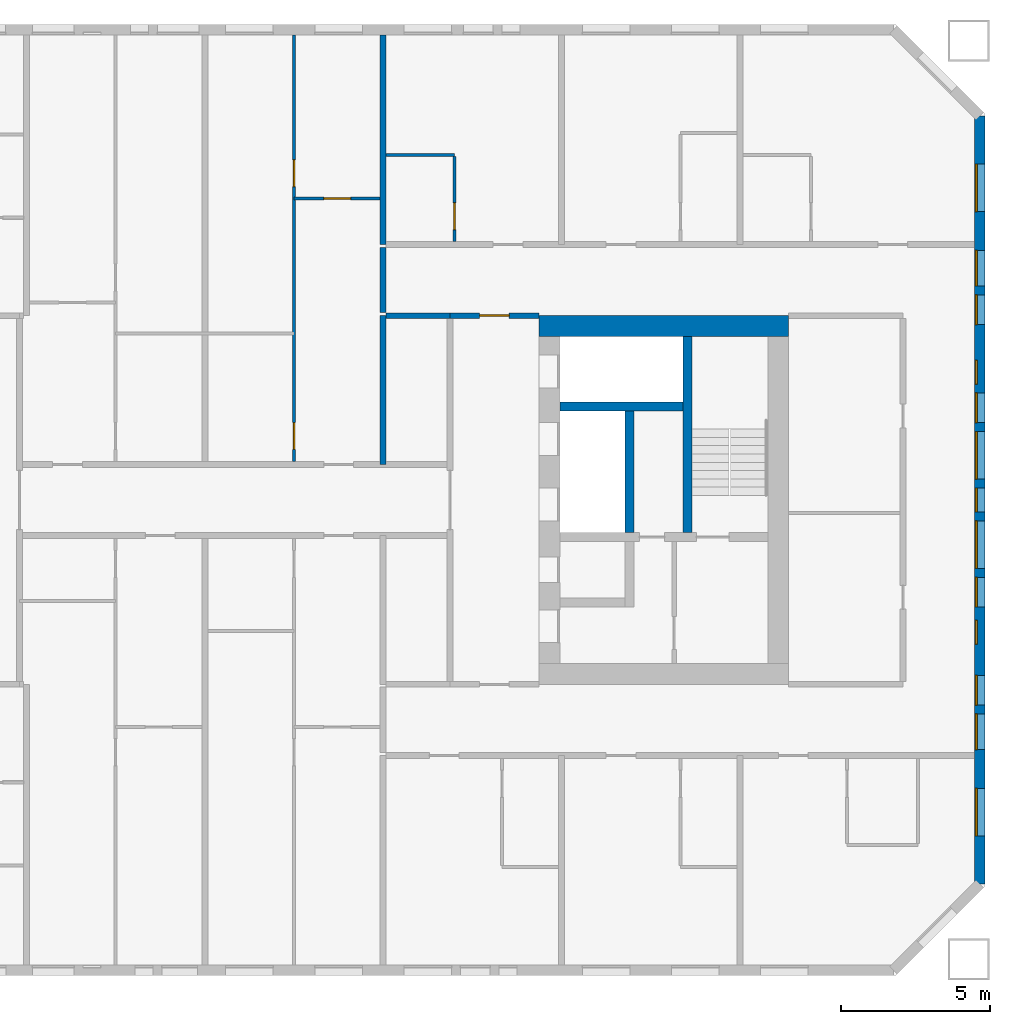
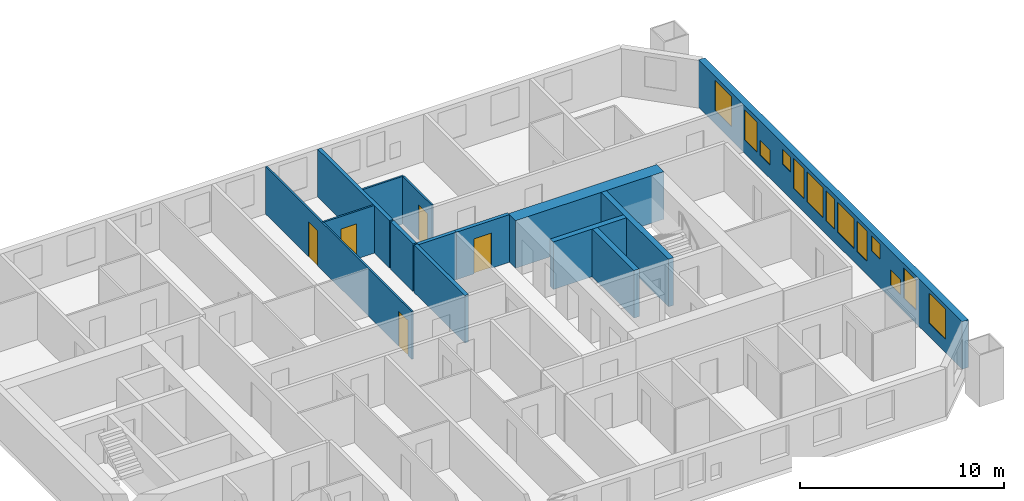
# One storey, part 13 of 17: 14 walls, 13 windows, 5 doors, 18 openings.
"""IFC4 building model written with IfcOpenShell, lengths in metres."""

from ifc_helpers import new_model, si_unit, direction, frame, frame_2d, origin, place, context, subcontext, project, spatial, rectangle, extrude, material, layer, layer_set, type_object, element, fill, save


model = new_model("IFC4")

# Units and contexts
model_context = context("Model", 3, precision=1e-05, world=origin(), true_north=direction((0.0, 1.0)))
body_context = subcontext(model_context, "Body", "Model", "MODEL_VIEW")
ifc_project = project(units=[si_unit("LENGTHUNIT", "METRE"), si_unit("AREAUNIT", "SQUARE_METRE"), si_unit("VOLUMEUNIT", "CUBIC_METRE"), si_unit("PLANEANGLEUNIT", "RADIAN"), si_unit("MASSUNIT", "GRAM", prefix="KILO")], contexts=[model_context])

# Site, building, storey
site_placement = place(None, origin())
site = spatial("IfcSite", under=ifc_project, at=site_placement, CompositionType="ELEMENT")
building_placement = place(site_placement, origin())
building = spatial("IfcBuilding", under=site, at=building_placement, Name="Tuart Gate Housing", CompositionType="ELEMENT")
storey_placement = place(building_placement, frame((0.0, 0.0, 80.89990234375)))
storey = spatial("IfcBuildingStorey", under=building, at=storey_placement, Name="L22", CompositionType="ELEMENT", Elevation=80.89990234375)

# Wall, openings, windows
ifc_material_1 = material(Name="Brick", Category="masonry")
ifc_layer_1 = layer(ifc_material_1, 0.360107421875)
ifc_layer_set_1 = layer_set([ifc_layer_1], Name="Brick pier and spandrel wall 360")
wall_type_1 = type_object("IfcWallType", Name="Brick pier and spandrel wall 360", PredefinedType="STANDARD", material=ifc_layer_set_1)
wall_1_placement = place(storey_placement, frame((175.070068359375, 57.07470703125, 0.0), z_axis=(0.0, 0.0, 1.0), x_axis=(0.0, 1.0, 0.0)))
wall_1 = element("IfcWall", 1, at=wall_1_placement, inside=storey, type_object=wall_type_1, Name="External wall B-E L22", PredefinedType="STANDARD", context=body_context, shape_type="SweptSolid", body=[
    extrude(rectangle(XDim=25.850830078125, YDim=0.360107421875, at=frame_2d((12.92529296875, 0.0))), origin(), (0.0, 0.0, 1.0), 2.85009765625),
])
opening_1_placement = place(wall_1_placement, frame((1.62548828125, 0.0, 0.800048828125)))
opening_1 = element("IfcOpeningElement", 2, at=opening_1_placement, cuts=wall_1, Name="Opening W1", PredefinedType="OPENING", context=body_context, shape_type="SweptSolid", body=[
    extrude(rectangle(XDim=1.60009765625, YDim=1.800048828125, at=frame_2d((0.800048828125, 0.89990234375))), frame((0.0, 0.18994140625, 0.0), z_axis=(0.0, -1.0, 0.0), x_axis=(1.0, 0.0, 0.0)), (0.0, 0.0, 1.0), 0.380126953125),
])
opening_2_placement = place(wall_1_placement, frame((4.525390625, 0.0, 0.800048828125)))
opening_2 = element("IfcOpeningElement", 3, at=opening_2_placement, cuts=wall_1, Name="Opening W1B", PredefinedType="OPENING", context=body_context, shape_type="SweptSolid", body=[
    extrude(rectangle(XDim=1.199951171875, YDim=1.800048828125, at=frame_2d((0.60009765625, 0.89990234375))), frame((0.0, 0.18994140625, 0.0), z_axis=(0.0, -1.0, 0.0), x_axis=(1.0, 0.0, 0.0)), (0.0, 0.0, 1.0), 0.380126953125),
])
opening_3_placement = place(wall_1_placement, frame((6.025390625, 0.0, 0.800048828125)))
opening_3 = element("IfcOpeningElement", 4, at=opening_3_placement, cuts=wall_1, Name="Opening W1U", PredefinedType="OPENING", context=body_context, shape_type="SweptSolid", body=[
    extrude(rectangle(XDim=1.0, YDim=0.89990234375, at=frame_2d((0.5, 0.449951171875))), frame((0.0, 0.18994140625, 0.0), z_axis=(0.0, -1.0, 0.0), x_axis=(1.0, 0.0, 0.0)), (0.0, 0.0, 1.0), 0.380126953125),
])
opening_4_placement = place(wall_1_placement, frame((10.62548828125, 0.0, 0.800048828125)))
opening_4 = element("IfcOpeningElement", 5, at=opening_4_placement, cuts=wall_1, Name="Opening W1", PredefinedType="OPENING", context=body_context, shape_type="SweptSolid", body=[
    extrude(rectangle(XDim=1.60009765625, YDim=1.800048828125, at=frame_2d((0.800048828125, 0.89990234375))), frame((0.0, 0.18994140625, 0.0), z_axis=(0.0, -1.0, 0.0), x_axis=(1.0, 0.0, 0.0)), (0.0, 0.0, 1.0), 0.380126953125),
])
opening_5_placement = place(wall_1_placement, frame((13.62548828125, 0.0, 0.800048828125)))
opening_5 = element("IfcOpeningElement", 6, at=opening_5_placement, cuts=wall_1, Name="Opening W1", PredefinedType="OPENING", context=body_context, shape_type="SweptSolid", body=[
    extrude(rectangle(XDim=1.60009765625, YDim=1.800048828125, at=frame_2d((0.800048828125, 0.89990234375))), frame((0.0, 0.18994140625, 0.0), z_axis=(0.0, -1.0, 0.0), x_axis=(1.0, 0.0, 0.0)), (0.0, 0.0, 1.0), 0.380126953125),
])
opening_6_placement = place(wall_1_placement, frame((8.075439453125, 0.0, 1.699951171875)))
opening_6 = element("IfcOpeningElement", 7, at=opening_6_placement, cuts=wall_1, Name="Opening W1V", PredefinedType="OPENING", context=body_context, shape_type="SweptSolid", body=[
    extrude(rectangle(XDim=0.800048828125, YDim=0.89990234375, at=frame_2d((0.39990234375, 0.449951171875))), frame((0.0, 0.18994140625, 0.0), z_axis=(0.0, -1.0, 0.0), x_axis=(1.0, 0.0, 0.0)), (0.0, 0.0, 1.0), 0.380126953125),
])
opening_7_placement = place(wall_1_placement, frame((9.325439453125, 0.0, 0.800048828125)))
opening_7 = element("IfcOpeningElement", 8, at=opening_7_placement, cuts=wall_1, Name="Opening W1C", PredefinedType="OPENING", context=body_context, shape_type="SweptSolid", body=[
    extrude(rectangle(XDim=1.0, YDim=1.800048828125, at=frame_2d((0.5, 0.89990234375))), frame((0.0, 0.18994140625, 0.0), z_axis=(0.0, -1.0, 0.0), x_axis=(1.0, 0.0, 0.0)), (0.0, 0.0, 1.0), 0.380126953125),
])
opening_8_placement = place(wall_1_placement, frame((22.62548828125, 0.0, 0.800048828125)))
opening_8 = element("IfcOpeningElement", 9, at=opening_8_placement, cuts=wall_1, Name="Opening W1", PredefinedType="OPENING", context=body_context, shape_type="SweptSolid", body=[
    extrude(rectangle(XDim=1.60009765625, YDim=1.800048828125, at=frame_2d((0.800048828125, 0.89990234375))), frame((0.0, 0.18994140625, 0.0), z_axis=(0.0, -1.0, 0.0), x_axis=(1.0, 0.0, 0.0)), (0.0, 0.0, 1.0), 0.380126953125),
])
opening_9_placement = place(wall_1_placement, frame((12.525390625, 0.0, 0.800048828125)))
opening_9 = element("IfcOpeningElement", 10, at=opening_9_placement, cuts=wall_1, Name="Opening W1D", PredefinedType="OPENING", context=body_context, shape_type="SweptSolid", body=[
    extrude(rectangle(XDim=0.800048828125, YDim=1.800048828125, at=frame_2d((0.39990234375, 0.89990234375))), frame((0.0, 0.18994140625, 0.0), z_axis=(0.0, -1.0, 0.0), x_axis=(1.0, 0.0, 0.0)), (0.0, 0.0, 1.0), 0.380126953125),
])
opening_10_placement = place(wall_1_placement, frame((15.525390625, 0.0, 0.800048828125)))
opening_10 = element("IfcOpeningElement", 11, at=opening_10_placement, cuts=wall_1, Name="Opening W1C", PredefinedType="OPENING", context=body_context, shape_type="SweptSolid", body=[
    extrude(rectangle(XDim=1.0, YDim=1.800048828125, at=frame_2d((0.5, 0.89990234375))), frame((0.0, 0.18994140625, 0.0), z_axis=(0.0, -1.0, 0.0), x_axis=(1.0, 0.0, 0.0)), (0.0, 0.0, 1.0), 0.380126953125),
])
opening_11_placement = place(wall_1_placement, frame((16.825439453125, 0.0, 1.60009765625)))
opening_11 = element("IfcOpeningElement", 12, at=opening_11_placement, cuts=wall_1, Name="Opening W1V", PredefinedType="OPENING", context=body_context, shape_type="SweptSolid", body=[
    extrude(rectangle(XDim=0.800048828125, YDim=0.89990234375, at=frame_2d((0.39990234375, 0.449951171875))), frame((0.0, 0.18994140625, 0.0), z_axis=(0.0, -1.0, 0.0), x_axis=(1.0, 0.0, 0.0)), (0.0, 0.0, 1.0), 0.380126953125),
])
opening_12_placement = place(wall_1_placement, frame((18.825439453125, 0.0, 0.800048828125)))
opening_12 = element("IfcOpeningElement", 13, at=opening_12_placement, cuts=wall_1, Name="Opening W1U", PredefinedType="OPENING", context=body_context, shape_type="SweptSolid", body=[
    extrude(rectangle(XDim=1.0, YDim=0.89990234375, at=frame_2d((0.5, 0.449951171875))), frame((0.0, 0.18994140625, 0.0), z_axis=(0.0, -1.0, 0.0), x_axis=(1.0, 0.0, 0.0)), (0.0, 0.0, 1.0), 0.380126953125),
])
opening_13_placement = place(wall_1_placement, frame((20.12548828125, 0.0, 0.800048828125)))
opening_13 = element("IfcOpeningElement", 14, at=opening_13_placement, cuts=wall_1, Name="Opening W1B", PredefinedType="OPENING", context=body_context, shape_type="SweptSolid", body=[
    extrude(rectangle(XDim=1.199951171875, YDim=1.800048828125, at=frame_2d((0.60009765625, 0.89990234375))), frame((0.0, 0.18994140625, 0.0), z_axis=(0.0, -1.0, 0.0), x_axis=(1.0, 0.0, 0.0)), (0.0, 0.0, 1.0), 0.380126953125),
])
ifc_material_2 = material(Name="Aluminium frame with clear glass", Category="aluminium")
window_type_1 = type_object("IfcWindowType", Name="Punched window 1000 x 1800", PartitioningType="SINGLE_PANEL", PredefinedType="WINDOW", material=ifc_material_2)
window_1_placement = place(opening_7_placement, origin())
window_1 = element("IfcWindow", 15, at=window_1_placement, inside=storey, type_object=window_type_1, Name="Window W1C", OverallHeight=1.800048828125, OverallWidth=1.0, PartitioningType="SINGLE_PANEL", PredefinedType="WINDOW", context=body_context, shape_type="SweptSolid", body=[
    extrude(rectangle(XDim=1.0, YDim=1.800048828125, at=frame_2d((0.5, 0.89990234375))), frame((0.0, 0.150146484375, 0.0), z_axis=(0.0, -1.0, 0.0), x_axis=(1.0, 0.0, 0.0)), (0.0, 0.0, 1.0), 0.06005859375),
])
fill(opening_7, window_1)
window_2_placement = place(opening_10_placement, origin())
window_2 = element("IfcWindow", 16, at=window_2_placement, inside=storey, type_object=window_type_1, Name="Window W1C", OverallHeight=1.800048828125, OverallWidth=1.0, PartitioningType="SINGLE_PANEL", PredefinedType="WINDOW", context=body_context, shape_type="SweptSolid", body=[
    extrude(rectangle(XDim=1.0, YDim=1.800048828125, at=frame_2d((0.5, 0.89990234375))), frame((0.0, 0.150146484375, 0.0), z_axis=(0.0, -1.0, 0.0), x_axis=(1.0, 0.0, 0.0)), (0.0, 0.0, 1.0), 0.06005859375),
])
fill(opening_10, window_2)
ifc_material_3 = material(Name="Aluminium frame with clear glass", Category="aluminium")
window_type_2 = type_object("IfcWindowType", Name="Punched window 1000 x 900", PartitioningType="SINGLE_PANEL", PredefinedType="WINDOW", material=ifc_material_3)
window_3_placement = place(opening_3_placement, origin())
window_3 = element("IfcWindow", 17, at=window_3_placement, inside=storey, type_object=window_type_2, Name="Window W1U", OverallHeight=0.89990234375, OverallWidth=1.0, PartitioningType="SINGLE_PANEL", PredefinedType="WINDOW", context=body_context, shape_type="SweptSolid", body=[
    extrude(rectangle(XDim=1.0, YDim=0.89990234375, at=frame_2d((0.5, 0.449951171875))), frame((0.0, 0.150146484375, 0.0), z_axis=(0.0, -1.0, 0.0), x_axis=(1.0, 0.0, 0.0)), (0.0, 0.0, 1.0), 0.06005859375),
])
fill(opening_3, window_3)
window_4_placement = place(opening_12_placement, origin())
window_4 = element("IfcWindow", 18, at=window_4_placement, inside=storey, type_object=window_type_2, Name="Window W1U", OverallHeight=0.89990234375, OverallWidth=1.0, PartitioningType="SINGLE_PANEL", PredefinedType="WINDOW", context=body_context, shape_type="SweptSolid", body=[
    extrude(rectangle(XDim=1.0, YDim=0.89990234375, at=frame_2d((0.5, 0.449951171875))), frame((0.0, 0.150146484375, 0.0), z_axis=(0.0, -1.0, 0.0), x_axis=(1.0, 0.0, 0.0)), (0.0, 0.0, 1.0), 0.06005859375),
])
fill(opening_12, window_4)
ifc_material_4 = material(Name="Aluminium frame with clear glass", Category="aluminium")
window_type_3 = type_object("IfcWindowType", Name="Punched window 1200 x 1800", PartitioningType="SINGLE_PANEL", PredefinedType="WINDOW", material=ifc_material_4)
window_5_placement = place(opening_2_placement, origin())
window_5 = element("IfcWindow", 19, at=window_5_placement, inside=storey, type_object=window_type_3, Name="Window W1B", OverallHeight=1.800048828125, OverallWidth=1.199951171875, PartitioningType="SINGLE_PANEL", PredefinedType="WINDOW", context=body_context, shape_type="SweptSolid", body=[
    extrude(rectangle(XDim=1.199951171875, YDim=1.800048828125, at=frame_2d((0.60009765625, 0.89990234375))), frame((0.0, 0.150146484375, 0.0), z_axis=(0.0, -1.0, 0.0), x_axis=(1.0, 0.0, 0.0)), (0.0, 0.0, 1.0), 0.06005859375),
])
fill(opening_2, window_5)
window_6_placement = place(opening_13_placement, origin())
window_6 = element("IfcWindow", 20, at=window_6_placement, inside=storey, type_object=window_type_3, Name="Window W1B", OverallHeight=1.800048828125, OverallWidth=1.199951171875, PartitioningType="SINGLE_PANEL", PredefinedType="WINDOW", context=body_context, shape_type="SweptSolid", body=[
    extrude(rectangle(XDim=1.199951171875, YDim=1.800048828125, at=frame_2d((0.60009765625, 0.89990234375))), frame((0.0, 0.150146484375, 0.0), z_axis=(0.0, -1.0, 0.0), x_axis=(1.0, 0.0, 0.0)), (0.0, 0.0, 1.0), 0.06005859375),
])
fill(opening_13, window_6)
ifc_material_5 = material(Name="Aluminium frame with clear glass", Category="aluminium")
window_type_4 = type_object("IfcWindowType", Name="Punched window 1600 x 1800", PartitioningType="SINGLE_PANEL", PredefinedType="WINDOW", material=ifc_material_5)
window_7_placement = place(opening_1_placement, origin())
window_7 = element("IfcWindow", 21, at=window_7_placement, inside=storey, type_object=window_type_4, Name="Window W1", OverallHeight=1.800048828125, OverallWidth=1.60009765625, PartitioningType="SINGLE_PANEL", PredefinedType="WINDOW", context=body_context, shape_type="SweptSolid", body=[
    extrude(rectangle(XDim=1.60009765625, YDim=1.800048828125, at=frame_2d((0.800048828125, 0.89990234375))), frame((0.0, 0.150146484375, 0.0), z_axis=(0.0, -1.0, 0.0), x_axis=(1.0, 0.0, 0.0)), (0.0, 0.0, 1.0), 0.06005859375),
])
fill(opening_1, window_7)
window_8_placement = place(opening_4_placement, origin())
window_8 = element("IfcWindow", 22, at=window_8_placement, inside=storey, type_object=window_type_4, Name="Window W1", OverallHeight=1.800048828125, OverallWidth=1.60009765625, PartitioningType="SINGLE_PANEL", PredefinedType="WINDOW", context=body_context, shape_type="SweptSolid", body=[
    extrude(rectangle(XDim=1.60009765625, YDim=1.800048828125, at=frame_2d((0.800048828125, 0.89990234375))), frame((0.0, 0.150146484375, 0.0), z_axis=(0.0, -1.0, 0.0), x_axis=(1.0, 0.0, 0.0)), (0.0, 0.0, 1.0), 0.06005859375),
])
fill(opening_4, window_8)
window_9_placement = place(opening_5_placement, origin())
window_9 = element("IfcWindow", 23, at=window_9_placement, inside=storey, type_object=window_type_4, Name="Window W1", OverallHeight=1.800048828125, OverallWidth=1.60009765625, PartitioningType="SINGLE_PANEL", PredefinedType="WINDOW", context=body_context, shape_type="SweptSolid", body=[
    extrude(rectangle(XDim=1.60009765625, YDim=1.800048828125, at=frame_2d((0.800048828125, 0.89990234375))), frame((0.0, 0.150146484375, 0.0), z_axis=(0.0, -1.0, 0.0), x_axis=(1.0, 0.0, 0.0)), (0.0, 0.0, 1.0), 0.06005859375),
])
fill(opening_5, window_9)
window_10_placement = place(opening_8_placement, origin())
window_10 = element("IfcWindow", 24, at=window_10_placement, inside=storey, type_object=window_type_4, Name="Window W1", OverallHeight=1.800048828125, OverallWidth=1.60009765625, PartitioningType="SINGLE_PANEL", PredefinedType="WINDOW", context=body_context, shape_type="SweptSolid", body=[
    extrude(rectangle(XDim=1.60009765625, YDim=1.800048828125, at=frame_2d((0.800048828125, 0.89990234375))), frame((0.0, 0.150146484375, 0.0), z_axis=(0.0, -1.0, 0.0), x_axis=(1.0, 0.0, 0.0)), (0.0, 0.0, 1.0), 0.06005859375),
])
fill(opening_8, window_10)
ifc_material_6 = material(Name="Aluminium frame with clear glass", Category="aluminium")
window_type_5 = type_object("IfcWindowType", Name="Punched window 800 x 1800", PartitioningType="SINGLE_PANEL", PredefinedType="WINDOW", material=ifc_material_6)
window_11_placement = place(opening_9_placement, origin())
window_11 = element("IfcWindow", 25, at=window_11_placement, inside=storey, type_object=window_type_5, Name="Window W1D", OverallHeight=1.800048828125, OverallWidth=0.800048828125, PartitioningType="SINGLE_PANEL", PredefinedType="WINDOW", context=body_context, shape_type="SweptSolid", body=[
    extrude(rectangle(XDim=0.800048828125, YDim=1.800048828125, at=frame_2d((0.39990234375, 0.89990234375))), frame((0.0, 0.150146484375, 0.0), z_axis=(0.0, -1.0, 0.0), x_axis=(1.0, 0.0, 0.0)), (0.0, 0.0, 1.0), 0.06005859375),
])
fill(opening_9, window_11)
ifc_material_7 = material(Name="Aluminium frame with clear glass", Category="aluminium")
window_type_6 = type_object("IfcWindowType", Name="Punched window 800 x 900", PartitioningType="SINGLE_PANEL", PredefinedType="WINDOW", material=ifc_material_7)
window_12_placement = place(opening_6_placement, origin())
window_12 = element("IfcWindow", 26, at=window_12_placement, inside=storey, type_object=window_type_6, Name="Window W1V", OverallHeight=0.89990234375, OverallWidth=0.800048828125, PartitioningType="SINGLE_PANEL", PredefinedType="WINDOW", context=body_context, shape_type="SweptSolid", body=[
    extrude(rectangle(XDim=0.800048828125, YDim=0.89990234375, at=frame_2d((0.39990234375, 0.449951171875))), frame((0.0, 0.150146484375, 0.0), z_axis=(0.0, -1.0, 0.0), x_axis=(1.0, 0.0, 0.0)), (0.0, 0.0, 1.0), 0.06005859375),
])
fill(opening_6, window_12)
window_13_placement = place(opening_11_placement, origin())
window_13 = element("IfcWindow", 27, at=window_13_placement, inside=storey, type_object=window_type_6, Name="Window W1V", OverallHeight=0.89990234375, OverallWidth=0.800048828125, PartitioningType="SINGLE_PANEL", PredefinedType="WINDOW", context=body_context, shape_type="SweptSolid", body=[
    extrude(rectangle(XDim=0.800048828125, YDim=0.89990234375, at=frame_2d((0.39990234375, 0.449951171875))), frame((0.0, 0.150146484375, 0.0), z_axis=(0.0, -1.0, 0.0), x_axis=(1.0, 0.0, 0.0)), (0.0, 0.0, 1.0), 0.06005859375),
])
fill(opening_11, window_13)

# Walls
ifc_material_8 = material(Name="Concrete C50", Category="concrete")
ifc_layer_2 = layer(ifc_material_8, 0.300048828125)
ifc_layer_set_2 = layer_set([ifc_layer_2], Name="Core wall 300 C50")
wall_type_2 = type_object("IfcWallType", Name="Core wall 300 C50", PredefinedType="SHEAR", material=ifc_layer_set_2)
wall_2_placement = place(storey_placement, frame((160.93994140625, 73.14990234375, 0.0), z_axis=(0.0, 0.0, 1.0), x_axis=(1.0, 0.0, 0.0)))
element("IfcWall", 28, at=wall_2_placement, inside=storey, type_object=wall_type_2, Name="Core wall BK.1", PredefinedType="SHEAR", context=body_context, shape_type="SweptSolid", body=[
    extrude(rectangle(XDim=4.150146484375, YDim=0.300048828125, at=frame_2d((2.0751953125, 0.0))), origin(), (0.0, 0.0, 1.0), 2.85009765625),
])
wall_3_placement = place(storey_placement, frame((163.2900390625, 73.0, 0.0), z_axis=(0.0, 0.0, 1.0), x_axis=(0.0, -1.0, 0.0)))
element("IfcWall", 29, at=wall_3_placement, inside=storey, type_object=wall_type_2, Name="Core wall BK.4", PredefinedType="SHEAR", context=body_context, shape_type="SweptSolid", body=[
    extrude(rectangle(XDim=4.10009765625, YDim=0.300048828125, at=frame_2d((2.050048828125, 0.0))), origin(), (0.0, 0.0, 1.0), 2.85009765625),
])
wall_4_placement = place(storey_placement, frame((165.239990234375, 75.5, 0.0), z_axis=(0.0, 0.0, 1.0), x_axis=(0.0, -1.0, 0.0)))
element("IfcWall", 30, at=wall_4_placement, inside=storey, type_object=wall_type_2, Name="Core wall BK.7", PredefinedType="SHEAR", context=body_context, shape_type="SweptSolid", body=[
    extrude(rectangle(XDim=6.60009765625, YDim=0.300048828125, at=frame_2d((3.300048828125, 0.0))), origin(), (0.0, 0.0, 1.0), 2.85009765625),
])
ifc_material_9 = material(Name="Concrete C50", Category="concrete")
ifc_layer_3 = layer(ifc_material_9, 0.699951171875)
ifc_layer_set_3 = layer_set([ifc_layer_3], Name="Core wall 700 C50")
wall_type_3 = type_object("IfcWallType", Name="Core wall 700 C50", PredefinedType="SHEAR", material=ifc_layer_set_3)
wall_5_placement = place(storey_placement, frame((160.239990234375, 75.85009765625, 0.0), z_axis=(0.0, 0.0, 1.0), x_axis=(1.0, 0.0, 0.0)))
element("IfcWall", 31, at=wall_5_placement, inside=storey, type_object=wall_type_3, Name="Core wall BK south", PredefinedType="SHEAR", context=body_context, shape_type="SweptSolid", body=[
    extrude(rectangle(XDim=8.39990234375, YDim=0.699951171875, at=frame_2d((4.199951171875, 0.0))), origin(), (0.0, 0.0, 1.0), 2.85009765625),
])
ifc_material_10 = material(Name="Concrete masonry 15 MPa", Category="masonry")
ifc_layer_4 = layer(ifc_material_10, 0.199951171875)
ifc_layer_set_4 = layer_set([ifc_layer_4], Name="Corridor wall masonry 200")
wall_type_4 = type_object("IfcWallType", Name="Corridor wall masonry 200", PredefinedType="PARTITIONING", material=ifc_layer_set_4)
wall_6_placement = place(storey_placement, frame((155.10009765625, 76.199951171875, 0.0), z_axis=(0.0, 0.0, 1.0), x_axis=(1.0, 0.0, 0.0)))
element("IfcWall", 32, at=wall_6_placement, inside=storey, type_object=wall_type_4, Name="Corridor wall masonry 200", PredefinedType="PARTITIONING", context=body_context, shape_type="SweptSolid", body=[
    extrude(rectangle(XDim=2.139892578125, YDim=0.199951171875, at=frame_2d((1.06982421875, 0.0))), origin(), (0.0, 0.0, 1.0), 2.85009765625),
])
wall_7_placement = place(storey_placement, frame((155.0, 76.300048828125, 0.0), z_axis=(0.0, 0.0, 1.0), x_axis=(0.0, 1.0, 0.0)))
element("IfcWall", 33, at=wall_7_placement, inside=storey, type_object=wall_type_4, Name="Corridor wall masonry 200", PredefinedType="PARTITIONING", context=body_context, shape_type="SweptSolid", body=[
    extrude(rectangle(XDim=2.199951171875, YDim=0.199951171875, at=frame_2d((1.10009765625, 0.0))), origin(), (0.0, 0.0, 1.0), 2.85009765625),
])

# Wall, opening, door
ifc_material_11 = material(Name="Concrete masonry 15 MPa", Category="masonry")
ifc_layer_5 = layer(ifc_material_11, 0.199951171875)
ifc_layer_set_5 = layer_set([ifc_layer_5], Name="Enclosure wall masonry 200")
wall_type_5 = type_object("IfcWallType", Name="Enclosure wall masonry 200", PredefinedType="PARTITIONING", material=ifc_layer_set_5)
wall_8_placement = place(storey_placement, frame((157.239990234375, 76.199951171875, 0.0), z_axis=(0.0, 0.0, 1.0), x_axis=(1.0, 0.0, 0.0)))
wall_8 = element("IfcWall", 34, at=wall_8_placement, inside=storey, type_object=wall_type_5, Name="Enclosure wall masonry 200", PredefinedType="PARTITIONING", context=body_context, shape_type="SweptSolid", body=[
    extrude(rectangle(XDim=3.0, YDim=0.199951171875, at=frame_2d((1.5, 0.0))), origin(), (0.0, 0.0, 1.0), 2.85009765625),
])
opening_14_placement = place(wall_8_placement, frame((1.0, 0.0, 0.0)))
opening_14 = element("IfcOpeningElement", 35, at=opening_14_placement, cuts=wall_8, Name="Opening D1030", PredefinedType="OPENING", context=body_context, shape_type="SweptSolid", body=[
    extrude(rectangle(XDim=1.0, YDim=2.10009765625, at=frame_2d((0.5, 1.050048828125))), frame((0.0, 0.10986328125, 0.0), z_axis=(0.0, -1.0, 0.0), x_axis=(1.0, 0.0, 0.0)), (0.0, 0.0, 1.0), 0.219970703125),
])
ifc_material_12 = material(Name="Timber door leaf in steel frame", Category="steel")
door_type_1 = type_object("IfcDoorType", Name="Fire door 1000", OperationType="SINGLE_SWING_LEFT", PredefinedType="DOOR", material=ifc_material_12)
door_1_placement = place(opening_14_placement, origin())
door_1 = element("IfcDoor", 36, at=door_1_placement, inside=storey, type_object=door_type_1, Name="Fire door", OperationType="SINGLE_SWING_LEFT", OverallHeight=2.10009765625, OverallWidth=1.0, PredefinedType="DOOR", context=body_context, shape_type="SweptSolid", body=[
    extrude(rectangle(XDim=1.0, YDim=2.10009765625, at=frame_2d((0.5, 1.050048828125))), frame((0.0, 0.02490234375, 0.0), z_axis=(0.0, -1.0, 0.0), x_axis=(1.0, 0.0, 0.0)), (0.0, 0.0, 1.0), 0.050048828125),
])
fill(opening_14, door_1)

ifc_material_13 = material(Name="Gypsum board on steel studs", Category="steel")
ifc_layer_6 = layer(ifc_material_13, 0.10009765625)
ifc_layer_set_6 = layer_set([ifc_layer_6], Name="Partition 100")
wall_type_6 = type_object("IfcWallType", Name="Partition 100", PredefinedType="PARTITIONING", material=ifc_layer_set_6)
wall_9_placement = place(storey_placement, frame((152.0, 80.139892578125, 0.0), z_axis=(0.0, 0.0, 1.0), x_axis=(1.0, 0.0, 0.0)))
wall_9 = element("IfcWall", 37, at=wall_9_placement, inside=storey, type_object=wall_type_6, Name="Partition 100", PredefinedType="PARTITIONING", context=body_context, shape_type="SweptSolid", body=[
    extrude(rectangle(XDim=2.89990234375, YDim=0.10009765625, at=frame_2d((1.449951171875, 0.0))), origin(), (0.0, 0.0, 1.0), 2.85009765625),
])
opening_15_placement = place(wall_9_placement, frame((1.0, 0.0, 0.0)))
opening_15 = element("IfcOpeningElement", 38, at=opening_15_placement, cuts=wall_9, Name="Opening D1016", PredefinedType="OPENING", context=body_context, shape_type="SweptSolid", body=[
    extrude(rectangle(XDim=0.89990234375, YDim=2.10009765625, at=frame_2d((0.449951171875, 1.050048828125))), frame((0.0, 0.06005859375, 0.0), z_axis=(0.0, -1.0, 0.0), x_axis=(1.0, 0.0, 0.0)), (0.0, 0.0, 1.0), 0.1201171875),
])
ifc_material_14 = material(Name="Timber door leaf in steel frame", Category="steel")
door_type_2 = type_object("IfcDoorType", Name="Internal door 900 RH", OperationType="SINGLE_SWING_RIGHT", PredefinedType="DOOR", material=ifc_material_14)
door_2_placement = place(opening_15_placement, frame((0.89990234375, 0.0, 0.0), z_axis=(0.0, 0.0, 1.0), x_axis=(-1.0, 0.0, 0.0)))
door_2 = element("IfcDoor", 39, at=door_2_placement, inside=storey, type_object=door_type_2, Name="Internal door", OperationType="SINGLE_SWING_RIGHT", OverallHeight=2.10009765625, OverallWidth=0.89990234375, PredefinedType="DOOR", context=body_context, shape_type="SweptSolid", body=[
    extrude(rectangle(XDim=0.89990234375, YDim=2.10009765625, at=frame_2d((0.449951171875, 1.050048828125))), frame((0.0, 0.025146484375, 0.0), z_axis=(0.0, -1.0, 0.0), x_axis=(1.0, 0.0, 0.0)), (0.0, 0.0, 1.0), 0.050048828125),
])
fill(opening_15, door_2)

# Wall
wall_10_placement = place(storey_placement, frame((155.10009765625, 81.60009765625, 0.0), z_axis=(0.0, 0.0, 1.0), x_axis=(1.0, 0.0, 0.0)))
element("IfcWall", 40, at=wall_10_placement, inside=storey, type_object=wall_type_6, Name="Partition 100", PredefinedType="PARTITIONING", context=body_context, shape_type="SweptSolid", body=[
    extrude(rectangle(XDim=2.2998046875, YDim=0.10009765625, at=frame_2d((1.14990234375, 0.0))), origin(), (0.0, 0.0, 1.0), 2.85009765625),
])

# Wall, openings, doors
wall_11_placement = place(storey_placement, frame((152.0, 71.300048828125, 0.0), z_axis=(0.0, 0.0, 1.0), x_axis=(0.0, 1.0, 0.0)))
wall_11 = element("IfcWall", 41, at=wall_11_placement, inside=storey, type_object=wall_type_6, Name="Partition 100", PredefinedType="PARTITIONING", context=body_context, shape_type="SweptSolid", body=[
    extrude(rectangle(XDim=14.33984375, YDim=0.10009765625, at=frame_2d((7.169921875, 0.0))), origin(), (0.0, 0.0, 1.0), 2.85009765625),
])
opening_16_placement = place(wall_11_placement, frame((9.239990234375, 0.0, 0.0)))
opening_16 = element("IfcOpeningElement", 42, at=opening_16_placement, cuts=wall_11, Name="Opening D1027", PredefinedType="OPENING", context=body_context, shape_type="SweptSolid", body=[
    extrude(rectangle(XDim=0.89990234375, YDim=2.10009765625, at=frame_2d((0.449951171875, 1.050048828125))), frame((0.0, 0.06005859375, 0.0), z_axis=(0.0, -1.0, 0.0), x_axis=(1.0, 0.0, 0.0)), (0.0, 0.0, 1.0), 0.1201171875),
])
opening_17_placement = place(wall_11_placement, frame((0.39990234375, 0.0, 0.0)))
opening_17 = element("IfcOpeningElement", 43, at=opening_17_placement, cuts=wall_11, Name="Opening D1026", PredefinedType="OPENING", context=body_context, shape_type="SweptSolid", body=[
    extrude(rectangle(XDim=0.89990234375, YDim=2.10009765625, at=frame_2d((0.449951171875, 1.050048828125))), frame((0.0, 0.06005859375, 0.0), z_axis=(0.0, -1.0, 0.0), x_axis=(1.0, 0.0, 0.0)), (0.0, 0.0, 1.0), 0.1201171875),
])
ifc_material_15 = material(Name="Timber door leaf in steel frame", Category="steel")
door_type_3 = type_object("IfcDoorType", Name="Bathroom door 900", OperationType="SINGLE_SWING_LEFT", PredefinedType="DOOR", material=ifc_material_15)
door_3_placement = place(opening_17_placement, origin())
door_3 = element("IfcDoor", 44, at=door_3_placement, inside=storey, type_object=door_type_3, Name="Bathroom door", OperationType="SINGLE_SWING_LEFT", OverallHeight=2.10009765625, OverallWidth=0.89990234375, PredefinedType="DOOR", context=body_context, shape_type="SweptSolid", body=[
    extrude(rectangle(XDim=0.89990234375, YDim=2.10009765625, at=frame_2d((0.449951171875, 1.050048828125))), frame((0.0, 0.02490234375, 0.0), z_axis=(0.0, -1.0, 0.0), x_axis=(1.0, 0.0, 0.0)), (0.0, 0.0, 1.0), 0.050048828125),
])
fill(opening_17, door_3)
door_4_placement = place(opening_16_placement, origin())
door_4 = element("IfcDoor", 45, at=door_4_placement, inside=storey, type_object=door_type_2, Name="Internal door", OperationType="SINGLE_SWING_RIGHT", OverallHeight=2.10009765625, OverallWidth=0.89990234375, PredefinedType="DOOR", context=body_context, shape_type="SweptSolid", body=[
    extrude(rectangle(XDim=0.89990234375, YDim=2.10009765625, at=frame_2d((0.449951171875, 1.050048828125))), frame((0.0, 0.02490234375, 0.0), z_axis=(0.0, -1.0, 0.0), x_axis=(1.0, 0.0, 0.0)), (0.0, 0.0, 1.0), 0.050048828125),
])
fill(opening_16, door_4)

# Wall, opening, door
wall_12_placement = place(storey_placement, frame((157.39990234375, 78.699951171875, 0.0), z_axis=(0.0, 0.0, 1.0), x_axis=(0.0, 1.0, 0.0)))
wall_12 = element("IfcWall", 46, at=wall_12_placement, inside=storey, type_object=wall_type_6, Name="Partition 100", PredefinedType="PARTITIONING", context=body_context, shape_type="SweptSolid", body=[
    extrude(rectangle(XDim=2.85009765625, YDim=0.10009765625, at=frame_2d((1.425048828125, 0.0))), origin(), (0.0, 0.0, 1.0), 2.85009765625),
])
opening_18_placement = place(wall_12_placement, frame((0.39990234375, 0.0, 0.0)))
opening_18 = element("IfcOpeningElement", 47, at=opening_18_placement, cuts=wall_12, Name="Opening D1017", PredefinedType="OPENING", context=body_context, shape_type="SweptSolid", body=[
    extrude(rectangle(XDim=0.89990234375, YDim=2.10009765625, at=frame_2d((0.449951171875, 1.050048828125))), frame((0.0, 0.06005859375, 0.0), z_axis=(0.0, -1.0, 0.0), x_axis=(1.0, 0.0, 0.0)), (0.0, 0.0, 1.0), 0.1201171875),
])
door_5_placement = place(opening_18_placement, origin())
door_5 = element("IfcDoor", 48, at=door_5_placement, inside=storey, type_object=door_type_3, Name="Bathroom door", OperationType="SINGLE_SWING_LEFT", OverallHeight=2.10009765625, OverallWidth=0.89990234375, PredefinedType="DOOR", context=body_context, shape_type="SweptSolid", body=[
    extrude(rectangle(XDim=0.89990234375, YDim=2.10009765625, at=frame_2d((0.449951171875, 1.050048828125))), frame((0.0, 0.02490234375, 0.0), z_axis=(0.0, -1.0, 0.0), x_axis=(1.0, 0.0, 0.0)), (0.0, 0.0, 1.0), 0.050048828125),
])
fill(opening_18, door_5)

# Walls
ifc_material_16 = material(Name="Concrete C40", Category="concrete")
ifc_layer_7 = layer(ifc_material_16, 0.199951171875)
ifc_layer_set_7 = layer_set([ifc_layer_7], Name="Party wall concrete C40 200")
wall_type_7 = type_object("IfcWallType", Name="Party wall concrete C40 200", PredefinedType="SOLIDWALL", material=ifc_layer_set_7)
wall_13_placement = place(storey_placement, frame((155.0, 71.199951171875, 0.0), z_axis=(0.0, 0.0, 1.0), x_axis=(0.0, 1.0, 0.0)))
element("IfcWall", 49, at=wall_13_placement, inside=storey, type_object=wall_type_7, Name="Party wall concrete C40 200", PredefinedType="SOLIDWALL", context=body_context, shape_type="SweptSolid", body=[
    extrude(rectangle(XDim=5.0, YDim=0.199951171875, at=frame_2d((2.5, 0.0))), origin(), (0.0, 0.0, 1.0), 2.85009765625),
])
wall_14_placement = place(storey_placement, frame((155.0, 78.60009765625, 0.0), z_axis=(0.0, 0.0, 1.0), x_axis=(0.0, 1.0, 0.0)))
element("IfcWall", 50, at=wall_14_placement, inside=storey, type_object=wall_type_7, Name="Party wall concrete C40 200", PredefinedType="SOLIDWALL", context=body_context, shape_type="SweptSolid", body=[
    extrude(rectangle(XDim=7.039794921875, YDim=0.199951171875, at=frame_2d((3.52001953125, 0.0))), origin(), (0.0, 0.0, 1.0), 2.85009765625),
])

save(model, "model.ifc")
